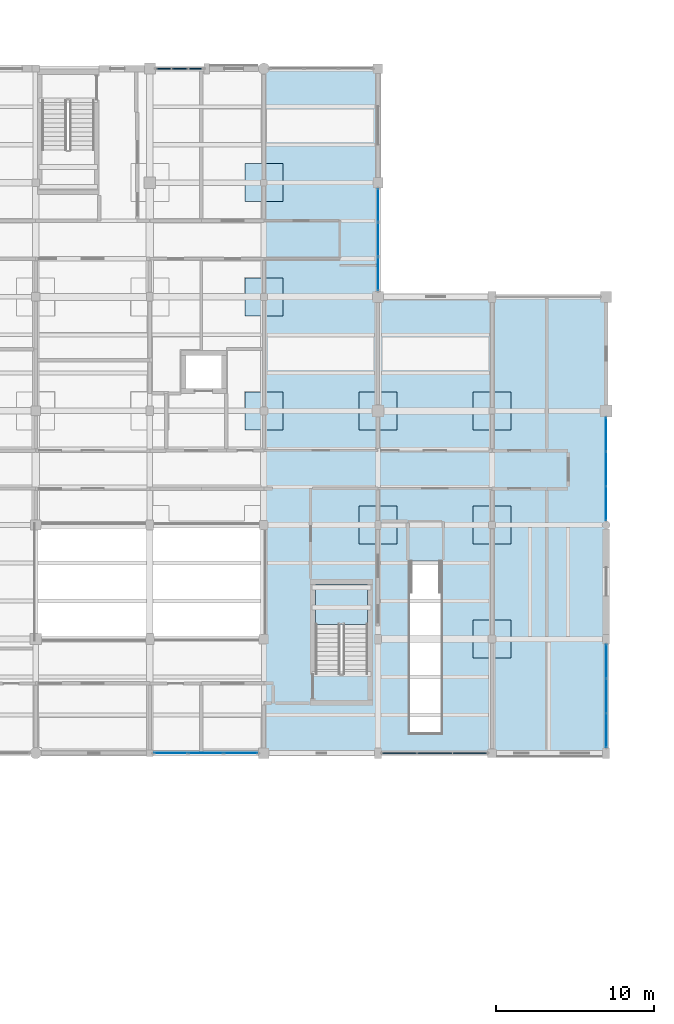
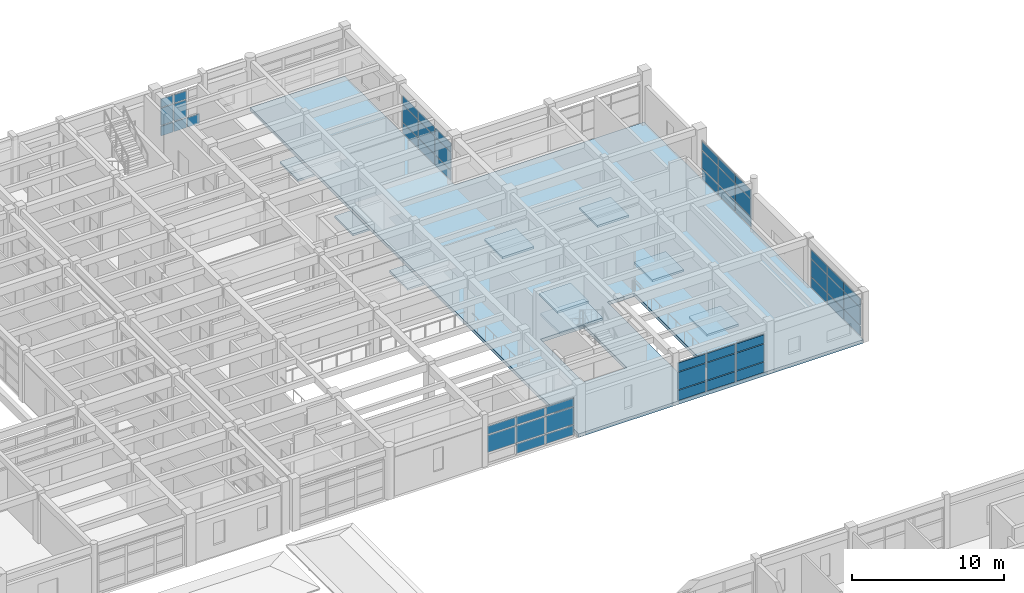
# One storey, part 70 of 110: 51 plates, 10 slabs, 7 elements without a shape of their own.
"""IFC4 building model written with IfcOpenShell, lengths in metres."""

from ifc_helpers import new_model, si_unit, direction, frame, origin, origin_2d, place, context, subcontext, project, spatial, polyline, rectangle, outline, extrude, material, layer, layer_set, type_object, element, aggregate, save


model = new_model("IFC4")

# Units and contexts
model_context = context("Model", 3, precision=1e-05, world=origin(), true_north=direction((0.0, 1.0)))
body_context = subcontext(model_context, "Body", "Model", "MODEL_VIEW")
ifc_project = project(units=[si_unit("LENGTHUNIT", "METRE"), si_unit("AREAUNIT", "SQUARE_METRE"), si_unit("VOLUMEUNIT", "CUBIC_METRE"), si_unit("PLANEANGLEUNIT", "RADIAN"), si_unit("MASSUNIT", "GRAM", prefix="KILO")], contexts=[model_context])

# Site, building, storey
site_placement = place(None, origin())
site = spatial("IfcSite", under=ifc_project, at=site_placement, CompositionType="ELEMENT")
building_placement = place(site_placement, origin())
building = spatial("IfcBuilding", under=site, at=building_placement, Name="Steenspoor Specialist Clinic", CompositionType="ELEMENT")
storey_placement = place(building_placement, frame((0.0, 0.0, 4.800048828125)))
storey = spatial("IfcBuildingStorey", under=building, at=storey_placement, Name="L01", CompositionType="ELEMENT", Elevation=4.800048828125)

# Curtain wall, plates
ifc_material_1 = material(Name="Thermally broken aluminium and low-emissivity glass", Category="aluminium")
curtain_wall_type_1 = type_object("IfcCurtainWallType", Name="CW-HALL-480X820", PredefinedType="USERDEFINED", material=ifc_material_1)
curtain_wall_1_placement = place(storey_placement, origin())
curtain_wall_1 = element("IfcCurtainWall", 1, at=curtain_wall_1_placement, inside=storey, type_object=curtain_wall_type_1, Name="Unitised Curtain Wall CW-V6-L01-171", ObjectType="UNITISED GLAZING", PredefinedType="USERDEFINED")
ifc_material_2 = material(Name="Double low-emissivity insulated glass", Category="glass")
ifc_layer_1 = layer(ifc_material_2, 0.035888671875)
ifc_layer_set_1 = layer_set([ifc_layer_1], Name="Double low-emissivity insulated glass")
plate_type_1 = type_object("IfcPlateType", Name="CW-PAN-GL36", PredefinedType="CURTAIN_PANEL", material=ifc_layer_set_1)
plate_1_placement = place(storey_placement, frame((161.199951171875, 85.262939453125, 0.070068359375), z_axis=(0.0, 0.0, 1.0), x_axis=(0.0, -1.0, 0.0)))
plate_1 = element("IfcPlate", 2, at=plate_1_placement, type_object=plate_type_1, Name="CW-03 panel 1.1", PredefinedType="CURTAIN_PANEL", context=body_context, shape_type="SweptSolid", body=[
    extrude(rectangle(XDim=2.09423828125, YDim=0.035888671875, at=origin_2d()), origin(), (0.0, 0.0, 1.0), 0.794921875),
])
plate_2_placement = place(storey_placement, frame((161.199951171875, 85.262939453125, 0.93505859375), z_axis=(0.0, 0.0, 1.0), x_axis=(0.0, -1.0, 0.0)))
plate_2 = element("IfcPlate", 3, at=plate_2_placement, type_object=plate_type_1, Name="CW-03 panel 1.2", PredefinedType="CURTAIN_PANEL", context=body_context, shape_type="SweptSolid", body=[
    extrude(rectangle(XDim=2.09423828125, YDim=0.035888671875, at=origin_2d()), origin(), (0.0, 0.0, 1.0), 1.3798828125),
])
plate_3_placement = place(storey_placement, frame((161.199951171875, 85.262939453125, 2.384765625), z_axis=(0.0, 0.0, 1.0), x_axis=(0.0, -1.0, 0.0)))
plate_3 = element("IfcPlate", 4, at=plate_3_placement, type_object=plate_type_1, Name="CW-03 panel 1.3", PredefinedType="CURTAIN_PANEL", context=body_context, shape_type="SweptSolid", body=[
    extrude(rectangle(XDim=2.09423828125, YDim=0.035888671875, at=origin_2d()), origin(), (0.0, 0.0, 1.0), 0.675048828125),
])
plate_4_placement = place(storey_placement, frame((161.199951171875, 83.08740234375, 0.070068359375), z_axis=(0.0, 0.0, 1.0), x_axis=(0.0, -1.0, 0.0)))
plate_4 = element("IfcPlate", 5, at=plate_4_placement, type_object=plate_type_1, Name="CW-03 panel 2.1", PredefinedType="CURTAIN_PANEL", context=body_context, shape_type="SweptSolid", body=[
    extrude(rectangle(XDim=2.126708984375, YDim=0.035888671875, at=origin_2d()), origin(), (0.0, 0.0, 1.0), 0.794921875),
])
plate_5_placement = place(storey_placement, frame((161.199951171875, 83.08740234375, 0.93505859375), z_axis=(0.0, 0.0, 1.0), x_axis=(0.0, -1.0, 0.0)))
plate_5 = element("IfcPlate", 6, at=plate_5_placement, type_object=plate_type_1, Name="CW-03 panel 2.2", PredefinedType="CURTAIN_PANEL", context=body_context, shape_type="SweptSolid", body=[
    extrude(rectangle(XDim=2.126708984375, YDim=0.035888671875, at=origin_2d()), origin(), (0.0, 0.0, 1.0), 1.3798828125),
])
plate_6_placement = place(storey_placement, frame((161.199951171875, 83.08740234375, 2.384765625), z_axis=(0.0, 0.0, 1.0), x_axis=(0.0, -1.0, 0.0)))
plate_6 = element("IfcPlate", 7, at=plate_6_placement, type_object=plate_type_1, Name="CW-03 panel 2.3", PredefinedType="CURTAIN_PANEL", context=body_context, shape_type="SweptSolid", body=[
    extrude(rectangle(XDim=2.126708984375, YDim=0.035888671875, at=origin_2d()), origin(), (0.0, 0.0, 1.0), 0.675048828125),
])
plate_7_placement = place(storey_placement, frame((161.199951171875, 80.912109375, 0.070068359375), z_axis=(0.0, 0.0, 1.0), x_axis=(0.0, -1.0, 0.0)))
plate_7 = element("IfcPlate", 8, at=plate_7_placement, type_object=plate_type_1, Name="CW-03 panel 3.1", PredefinedType="CURTAIN_PANEL", context=body_context, shape_type="SweptSolid", body=[
    extrude(rectangle(XDim=2.09423828125, YDim=0.035888671875, at=origin_2d()), origin(), (0.0, 0.0, 1.0), 0.794921875),
])
plate_8_placement = place(storey_placement, frame((161.199951171875, 80.912109375, 0.93505859375), z_axis=(0.0, 0.0, 1.0), x_axis=(0.0, -1.0, 0.0)))
plate_8 = element("IfcPlate", 9, at=plate_8_placement, type_object=plate_type_1, Name="CW-03 panel 3.2", PredefinedType="CURTAIN_PANEL", context=body_context, shape_type="SweptSolid", body=[
    extrude(rectangle(XDim=2.09423828125, YDim=0.035888671875, at=origin_2d()), origin(), (0.0, 0.0, 1.0), 1.3798828125),
])
plate_9_placement = place(storey_placement, frame((161.199951171875, 80.912109375, 2.384765625), z_axis=(0.0, 0.0, 1.0), x_axis=(0.0, -1.0, 0.0)))
plate_9 = element("IfcPlate", 10, at=plate_9_placement, type_object=plate_type_1, Name="CW-03 panel 3.3", PredefinedType="CURTAIN_PANEL", context=body_context, shape_type="SweptSolid", body=[
    extrude(rectangle(XDim=2.09423828125, YDim=0.035888671875, at=origin_2d()), origin(), (0.0, 0.0, 1.0), 0.675048828125),
])
aggregate(curtain_wall_1, [plate_1, plate_2, plate_3, plate_4, plate_5, plate_6, plate_7, plate_8, plate_9])

curtain_wall_type_2 = type_object("IfcCurtainWallType", Name="CW-L00-480X415", PredefinedType="USERDEFINED", material=ifc_material_1)
curtain_wall_2_placement = place(storey_placement, origin())
curtain_wall_2 = element("IfcCurtainWall", 11, at=curtain_wall_2_placement, inside=storey, type_object=curtain_wall_type_2, Name="Unitised Curtain Wall CW-V6-L01-174", ObjectType="UNITISED GLAZING", PredefinedType="USERDEFINED")
plate_10_placement = place(storey_placement, frame((138.142578125, 65.14990234375, 0.08984375), z_axis=(0.0, 0.0, 1.0), x_axis=(-1.0, 0.0, 0.0)))
plate_10 = element("IfcPlate", 12, at=plate_10_placement, type_object=plate_type_1, Name="CW-06 panel 1.1", PredefinedType="CURTAIN_PANEL", context=body_context, shape_type="SweptSolid", body=[
    extrude(rectangle(XDim=2.10498046875, YDim=0.035888671875, at=origin_2d()), origin(), (0.0, 0.0, 1.0), 0.764892578125),
])
plate_11_placement = place(storey_placement, frame((138.142578125, 65.14990234375, 0.94482421875), z_axis=(0.0, 0.0, 1.0), x_axis=(-1.0, 0.0, 0.0)))
plate_11 = element("IfcPlate", 13, at=plate_11_placement, type_object=plate_type_1, Name="CW-06 panel 1.2", PredefinedType="CURTAIN_PANEL", context=body_context, shape_type="SweptSolid", body=[
    extrude(rectangle(XDim=2.10498046875, YDim=0.035888671875, at=origin_2d()), origin(), (0.0, 0.0, 1.0), 1.360107421875),
])
plate_12_placement = place(storey_placement, frame((138.142578125, 65.14990234375, 2.39501953125), z_axis=(0.0, 0.0, 1.0), x_axis=(-1.0, 0.0, 0.0)))
plate_12 = element("IfcPlate", 14, at=plate_12_placement, type_object=plate_type_1, Name="CW-06 panel 1.3", PredefinedType="CURTAIN_PANEL", context=body_context, shape_type="SweptSolid", body=[
    extrude(rectangle(XDim=2.10498046875, YDim=0.035888671875, at=origin_2d()), origin(), (0.0, 0.0, 1.0), 0.64501953125),
])
plate_13_placement = place(storey_placement, frame((135.9375, 65.14990234375, 0.08984375), z_axis=(0.0, 0.0, 1.0), x_axis=(-1.0, 0.0, 0.0)))
plate_13 = element("IfcPlate", 15, at=plate_13_placement, type_object=plate_type_1, Name="CW-06 panel 2.1", PredefinedType="CURTAIN_PANEL", context=body_context, shape_type="SweptSolid", body=[
    extrude(rectangle(XDim=2.14501953125, YDim=0.035888671875, at=origin_2d()), origin(), (0.0, 0.0, 1.0), 0.764892578125),
])
plate_14_placement = place(storey_placement, frame((135.9375, 65.14990234375, 0.94482421875), z_axis=(0.0, 0.0, 1.0), x_axis=(-1.0, 0.0, 0.0)))
plate_14 = element("IfcPlate", 16, at=plate_14_placement, type_object=plate_type_1, Name="CW-06 panel 2.2", PredefinedType="CURTAIN_PANEL", context=body_context, shape_type="SweptSolid", body=[
    extrude(rectangle(XDim=2.14501953125, YDim=0.035888671875, at=origin_2d()), origin(), (0.0, 0.0, 1.0), 1.360107421875),
])
plate_15_placement = place(storey_placement, frame((135.9375, 65.14990234375, 2.39501953125), z_axis=(0.0, 0.0, 1.0), x_axis=(-1.0, 0.0, 0.0)))
plate_15 = element("IfcPlate", 17, at=plate_15_placement, type_object=plate_type_1, Name="CW-06 panel 2.3", PredefinedType="CURTAIN_PANEL", context=body_context, shape_type="SweptSolid", body=[
    extrude(rectangle(XDim=2.14501953125, YDim=0.035888671875, at=origin_2d()), origin(), (0.0, 0.0, 1.0), 0.64501953125),
])
plate_16_placement = place(storey_placement, frame((133.732421875, 65.14990234375, 0.94482421875), z_axis=(0.0, 0.0, 1.0), x_axis=(-1.0, 0.0, 0.0)))
plate_16 = element("IfcPlate", 18, at=plate_16_placement, type_object=plate_type_1, Name="CW-06 panel 3.2", PredefinedType="CURTAIN_PANEL", context=body_context, shape_type="SweptSolid", body=[
    extrude(rectangle(XDim=2.10498046875, YDim=0.035888671875, at=origin_2d()), origin(), (0.0, 0.0, 1.0), 1.360107421875),
])
plate_17_placement = place(storey_placement, frame((133.732421875, 65.14990234375, 2.39501953125), z_axis=(0.0, 0.0, 1.0), x_axis=(-1.0, 0.0, 0.0)))
plate_17 = element("IfcPlate", 19, at=plate_17_placement, type_object=plate_type_1, Name="CW-06 panel 3.3", PredefinedType="CURTAIN_PANEL", context=body_context, shape_type="SweptSolid", body=[
    extrude(rectangle(XDim=2.10498046875, YDim=0.035888671875, at=origin_2d()), origin(), (0.0, 0.0, 1.0), 0.64501953125),
])
aggregate(curtain_wall_2, [plate_10, plate_11, plate_12, plate_13, plate_14, plate_15, plate_16, plate_17])

curtain_wall_type_3 = type_object("IfcCurtainWallType", Name="CW-L00-660X415", PredefinedType="USERDEFINED", material=ifc_material_1)
curtain_wall_3_placement = place(storey_placement, origin())
curtain_wall_3 = element("IfcCurtainWall", 20, at=curtain_wall_3_placement, inside=storey, type_object=curtain_wall_type_3, Name="Unitised Curtain Wall CW-V6-L01-172", ObjectType="UNITISED GLAZING", PredefinedType="USERDEFINED")
ifc_material_3 = material(Name="Triple acoustic laminated low-emissivity glass", Category="glass")
ifc_layer_2 = layer(ifc_material_3, 0.048095703125)
ifc_layer_set_2 = layer_set([ifc_layer_2], Name="Triple acoustic laminated low-emissivity glass")
plate_type_2 = type_object("IfcPlateType", Name="CW-PAN-GL48", PredefinedType="CURTAIN_PANEL", material=ifc_layer_set_2)
plate_18_placement = place(storey_placement, frame((161.199951171875, 70.939208984375, 0.06494140625), z_axis=(0.0, 0.0, 1.0), x_axis=(0.0, -1.0, 0.0)))
plate_18 = element("IfcPlate", 21, at=plate_18_placement, type_object=plate_type_2, Name="CW-04 panel 1.1", PredefinedType="CURTAIN_PANEL", context=body_context, shape_type="SweptSolid", body=[
    extrude(rectangle(XDim=2.1015625, YDim=0.048095703125, at=origin_2d()), origin(), (0.0, 0.0, 1.0), 0.802490234375),
])
plate_19_placement = place(storey_placement, frame((161.199951171875, 70.939208984375, 0.9326171875), z_axis=(0.0, 0.0, 1.0), x_axis=(0.0, -1.0, 0.0)))
plate_19 = element("IfcPlate", 22, at=plate_19_placement, type_object=plate_type_2, Name="CW-04 panel 1.2", PredefinedType="CURTAIN_PANEL", context=body_context, shape_type="SweptSolid", body=[
    extrude(rectangle(XDim=2.1015625, YDim=0.048095703125, at=origin_2d()), origin(), (0.0, 0.0, 1.0), 1.385009765625),
])
plate_20_placement = place(storey_placement, frame((161.199951171875, 70.939208984375, 2.38232421875), z_axis=(0.0, 0.0, 1.0), x_axis=(0.0, -1.0, 0.0)))
plate_20 = element("IfcPlate", 23, at=plate_20_placement, type_object=plate_type_2, Name="CW-04 panel 1.3", PredefinedType="CURTAIN_PANEL", context=body_context, shape_type="SweptSolid", body=[
    extrude(rectangle(XDim=2.1015625, YDim=0.048095703125, at=origin_2d()), origin(), (0.0, 0.0, 1.0), 0.6826171875),
])
plate_21_placement = place(storey_placement, frame((161.199951171875, 68.762451171875, 0.06494140625), z_axis=(0.0, 0.0, 1.0), x_axis=(0.0, -1.0, 0.0)))
plate_21 = element("IfcPlate", 24, at=plate_21_placement, type_object=plate_type_2, Name="CW-04 panel 2.1", PredefinedType="CURTAIN_PANEL", context=body_context, shape_type="SweptSolid", body=[
    extrude(rectangle(XDim=2.131591796875, YDim=0.048095703125, at=origin_2d()), origin(), (0.0, 0.0, 1.0), 0.802490234375),
])
plate_22_placement = place(storey_placement, frame((161.199951171875, 68.762451171875, 0.9326171875), z_axis=(0.0, 0.0, 1.0), x_axis=(0.0, -1.0, 0.0)))
plate_22 = element("IfcPlate", 25, at=plate_22_placement, type_object=plate_type_2, Name="CW-04 panel 2.2", PredefinedType="CURTAIN_PANEL", context=body_context, shape_type="SweptSolid", body=[
    extrude(rectangle(XDim=2.131591796875, YDim=0.048095703125, at=origin_2d()), origin(), (0.0, 0.0, 1.0), 1.385009765625),
])
plate_23_placement = place(storey_placement, frame((161.199951171875, 68.762451171875, 2.38232421875), z_axis=(0.0, 0.0, 1.0), x_axis=(0.0, -1.0, 0.0)))
plate_23 = element("IfcPlate", 26, at=plate_23_placement, type_object=plate_type_2, Name="CW-04 panel 2.3", PredefinedType="CURTAIN_PANEL", context=body_context, shape_type="SweptSolid", body=[
    extrude(rectangle(XDim=2.131591796875, YDim=0.048095703125, at=origin_2d()), origin(), (0.0, 0.0, 1.0), 0.6826171875),
])
plate_24_placement = place(storey_placement, frame((161.199951171875, 66.5859375, 0.06494140625), z_axis=(0.0, 0.0, 1.0), x_axis=(0.0, -1.0, 0.0)))
plate_24 = element("IfcPlate", 27, at=plate_24_placement, type_object=plate_type_2, Name="CW-04 panel 3.1", PredefinedType="CURTAIN_PANEL", context=body_context, shape_type="SweptSolid", body=[
    extrude(rectangle(XDim=2.1015625, YDim=0.048095703125, at=origin_2d()), origin(), (0.0, 0.0, 1.0), 0.802490234375),
])
plate_25_placement = place(storey_placement, frame((161.199951171875, 66.5859375, 0.9326171875), z_axis=(0.0, 0.0, 1.0), x_axis=(0.0, -1.0, 0.0)))
plate_25 = element("IfcPlate", 28, at=plate_25_placement, type_object=plate_type_2, Name="CW-04 panel 3.2", PredefinedType="CURTAIN_PANEL", context=body_context, shape_type="SweptSolid", body=[
    extrude(rectangle(XDim=2.1015625, YDim=0.048095703125, at=origin_2d()), origin(), (0.0, 0.0, 1.0), 1.385009765625),
])
plate_26_placement = place(storey_placement, frame((161.199951171875, 66.5859375, 2.38232421875), z_axis=(0.0, 0.0, 1.0), x_axis=(0.0, -1.0, 0.0)))
plate_26 = element("IfcPlate", 29, at=plate_26_placement, type_object=plate_type_2, Name="CW-04 panel 3.3", PredefinedType="CURTAIN_PANEL", context=body_context, shape_type="SweptSolid", body=[
    extrude(rectangle(XDim=2.1015625, YDim=0.048095703125, at=origin_2d()), origin(), (0.0, 0.0, 1.0), 0.6826171875),
])
aggregate(curtain_wall_3, [plate_18, plate_19, plate_20, plate_21, plate_22, plate_23, plate_24, plate_25, plate_26])

curtain_wall_type_4 = type_object("IfcCurtainWallType", Name="CW-TYP-420X355", PredefinedType="USERDEFINED", material=ifc_material_1)
curtain_wall_4_placement = place(storey_placement, origin())
curtain_wall_4 = element("IfcCurtainWall", 30, at=curtain_wall_4_placement, inside=storey, type_object=curtain_wall_type_4, Name="Unitised Curtain Wall CW-V6-L01-181", ObjectType="UNITISED GLAZING", PredefinedType="USERDEFINED")
plate_27_placement = place(storey_placement, frame((146.800048828125, 99.717529296875, 0.070068359375), z_axis=(0.0, 0.0, 1.0), x_axis=(0.0, -1.0, 0.0)))
plate_27 = element("IfcPlate", 31, at=plate_27_placement, type_object=plate_type_2, Name="CW-13 panel 1.1", PredefinedType="CURTAIN_PANEL", context=body_context, shape_type="SweptSolid", body=[
    extrude(rectangle(XDim=2.054931640625, YDim=0.048095703125, at=origin_2d()), origin(), (0.0, 0.0, 1.0), 0.794921875),
])
plate_28_placement = place(storey_placement, frame((146.800048828125, 99.717529296875, 0.93505859375), z_axis=(0.0, 0.0, 1.0), x_axis=(0.0, -1.0, 0.0)))
plate_28 = element("IfcPlate", 32, at=plate_28_placement, type_object=plate_type_2, Name="CW-13 panel 1.2", PredefinedType="CURTAIN_PANEL", context=body_context, shape_type="SweptSolid", body=[
    extrude(rectangle(XDim=2.054931640625, YDim=0.048095703125, at=origin_2d()), origin(), (0.0, 0.0, 1.0), 1.3798828125),
])
plate_29_placement = place(storey_placement, frame((146.800048828125, 99.717529296875, 2.384765625), z_axis=(0.0, 0.0, 1.0), x_axis=(0.0, -1.0, 0.0)))
plate_29 = element("IfcPlate", 33, at=plate_29_placement, type_object=plate_type_2, Name="CW-13 panel 1.3", PredefinedType="CURTAIN_PANEL", context=body_context, shape_type="SweptSolid", body=[
    extrude(rectangle(XDim=2.054931640625, YDim=0.048095703125, at=origin_2d()), origin(), (0.0, 0.0, 1.0), 0.675048828125),
])
plate_30_placement = place(storey_placement, frame((146.800048828125, 97.5625, 0.070068359375), z_axis=(0.0, 0.0, 1.0), x_axis=(0.0, -1.0, 0.0)))
plate_30 = element("IfcPlate", 34, at=plate_30_placement, type_object=plate_type_2, Name="CW-13 panel 2.1", PredefinedType="CURTAIN_PANEL", context=body_context, shape_type="SweptSolid", body=[
    extrude(rectangle(XDim=2.094970703125, YDim=0.048095703125, at=origin_2d()), origin(), (0.0, 0.0, 1.0), 0.794921875),
])
plate_31_placement = place(storey_placement, frame((146.800048828125, 97.5625, 0.93505859375), z_axis=(0.0, 0.0, 1.0), x_axis=(0.0, -1.0, 0.0)))
plate_31 = element("IfcPlate", 35, at=plate_31_placement, type_object=plate_type_2, Name="CW-13 panel 2.2", PredefinedType="CURTAIN_PANEL", context=body_context, shape_type="SweptSolid", body=[
    extrude(rectangle(XDim=2.094970703125, YDim=0.048095703125, at=origin_2d()), origin(), (0.0, 0.0, 1.0), 1.3798828125),
])
plate_32_placement = place(storey_placement, frame((146.800048828125, 97.5625, 2.384765625), z_axis=(0.0, 0.0, 1.0), x_axis=(0.0, -1.0, 0.0)))
plate_32 = element("IfcPlate", 36, at=plate_32_placement, type_object=plate_type_2, Name="CW-13 panel 2.3", PredefinedType="CURTAIN_PANEL", context=body_context, shape_type="SweptSolid", body=[
    extrude(rectangle(XDim=2.094970703125, YDim=0.048095703125, at=origin_2d()), origin(), (0.0, 0.0, 1.0), 0.675048828125),
])
plate_33_placement = place(storey_placement, frame((146.800048828125, 95.407470703125, 0.070068359375), z_axis=(0.0, 0.0, 1.0), x_axis=(0.0, -1.0, 0.0)))
plate_33 = element("IfcPlate", 37, at=plate_33_placement, type_object=plate_type_2, Name="CW-13 panel 3.1", PredefinedType="CURTAIN_PANEL", context=body_context, shape_type="SweptSolid", body=[
    extrude(rectangle(XDim=2.054931640625, YDim=0.048095703125, at=origin_2d()), origin(), (0.0, 0.0, 1.0), 0.794921875),
])
plate_34_placement = place(storey_placement, frame((146.800048828125, 95.407470703125, 0.93505859375), z_axis=(0.0, 0.0, 1.0), x_axis=(0.0, -1.0, 0.0)))
plate_34 = element("IfcPlate", 38, at=plate_34_placement, type_object=plate_type_2, Name="CW-13 panel 3.2", PredefinedType="CURTAIN_PANEL", context=body_context, shape_type="SweptSolid", body=[
    extrude(rectangle(XDim=2.054931640625, YDim=0.048095703125, at=origin_2d()), origin(), (0.0, 0.0, 1.0), 1.3798828125),
])
plate_35_placement = place(storey_placement, frame((146.800048828125, 95.407470703125, 2.384765625), z_axis=(0.0, 0.0, 1.0), x_axis=(0.0, -1.0, 0.0)))
plate_35 = element("IfcPlate", 39, at=plate_35_placement, type_object=plate_type_2, Name="CW-13 panel 3.3", PredefinedType="CURTAIN_PANEL", context=body_context, shape_type="SweptSolid", body=[
    extrude(rectangle(XDim=2.054931640625, YDim=0.048095703125, at=origin_2d()), origin(), (0.0, 0.0, 1.0), 0.675048828125),
])
aggregate(curtain_wall_4, [plate_27, plate_28, plate_29, plate_30, plate_31, plate_32, plate_33, plate_34, plate_35])

curtain_wall_type_5 = type_object("IfcCurtainWallType", Name="CW-L00-650X415", PredefinedType="USERDEFINED", material=ifc_material_1)
curtain_wall_5_placement = place(storey_placement, origin())
curtain_wall_5 = element("IfcCurtainWall", 40, at=curtain_wall_5_placement, inside=storey, type_object=curtain_wall_type_5, Name="Unitised Curtain Wall CW-V6-L01-173", ObjectType="UNITISED GLAZING", PredefinedType="USERDEFINED")
ifc_material_4 = material(Name="Insulated glazed ceramic spandrel panel", Category="glass")
ifc_layer_3 = layer(ifc_material_4, 0.074951171875)
ifc_layer_set_3 = layer_set([ifc_layer_3], Name="Insulated glazed ceramic spandrel panel")
plate_type_3 = type_object("IfcPlateType", Name="CW-PAN-SP75", PredefinedType="CURTAIN_PANEL", material=ifc_layer_set_3)
plate_36_placement = place(storey_placement, frame((152.5859375, 65.14990234375, 0.059814453125), z_axis=(0.0, 0.0, 1.0), x_axis=(-1.0, 0.0, 0.0)))
plate_36 = element("IfcPlate", 41, at=plate_36_placement, type_object=plate_type_3, Name="CW-05 panel 1.1", PredefinedType="CURTAIN_PANEL", context=body_context, shape_type="SweptSolid", body=[
    extrude(rectangle(XDim=2.098388671875, YDim=0.074951171875, at=origin_2d()), origin(), (0.0, 0.0, 1.0), 0.81005859375),
])
plate_37_placement = place(storey_placement, frame((152.5859375, 65.14990234375, 0.93017578125), z_axis=(0.0, 0.0, 1.0), x_axis=(-1.0, 0.0, 0.0)))
plate_37 = element("IfcPlate", 42, at=plate_37_placement, type_object=plate_type_3, Name="CW-05 panel 1.2", PredefinedType="CURTAIN_PANEL", context=body_context, shape_type="SweptSolid", body=[
    extrude(rectangle(XDim=2.098388671875, YDim=0.074951171875, at=origin_2d()), origin(), (0.0, 0.0, 1.0), 1.389892578125),
])
plate_38_placement = place(storey_placement, frame((152.5859375, 65.14990234375, 2.3798828125), z_axis=(0.0, 0.0, 1.0), x_axis=(-1.0, 0.0, 0.0)))
plate_38 = element("IfcPlate", 43, at=plate_38_placement, type_object=plate_type_3, Name="CW-05 panel 1.3", PredefinedType="CURTAIN_PANEL", context=body_context, shape_type="SweptSolid", body=[
    extrude(rectangle(XDim=2.098388671875, YDim=0.074951171875, at=origin_2d()), origin(), (0.0, 0.0, 1.0), 0.68994140625),
])
plate_39_placement = place(storey_placement, frame((150.375, 65.14990234375, 0.059814453125), z_axis=(0.0, 0.0, 1.0), x_axis=(-1.0, 0.0, 0.0)))
plate_39 = element("IfcPlate", 44, at=plate_39_placement, type_object=plate_type_3, Name="CW-05 panel 2.1", PredefinedType="CURTAIN_PANEL", context=body_context, shape_type="SweptSolid", body=[
    extrude(rectangle(XDim=2.143310546875, YDim=0.074951171875, at=origin_2d()), origin(), (0.0, 0.0, 1.0), 0.81005859375),
])
plate_40_placement = place(storey_placement, frame((150.375, 65.14990234375, 0.93017578125), z_axis=(0.0, 0.0, 1.0), x_axis=(-1.0, 0.0, 0.0)))
plate_40 = element("IfcPlate", 45, at=plate_40_placement, type_object=plate_type_3, Name="CW-05 panel 2.2", PredefinedType="CURTAIN_PANEL", context=body_context, shape_type="SweptSolid", body=[
    extrude(rectangle(XDim=2.143310546875, YDim=0.074951171875, at=origin_2d()), origin(), (0.0, 0.0, 1.0), 1.389892578125),
])
plate_41_placement = place(storey_placement, frame((150.375, 65.14990234375, 2.3798828125), z_axis=(0.0, 0.0, 1.0), x_axis=(-1.0, 0.0, 0.0)))
plate_41 = element("IfcPlate", 46, at=plate_41_placement, type_object=plate_type_3, Name="CW-05 panel 2.3", PredefinedType="CURTAIN_PANEL", context=body_context, shape_type="SweptSolid", body=[
    extrude(rectangle(XDim=2.143310546875, YDim=0.074951171875, at=origin_2d()), origin(), (0.0, 0.0, 1.0), 0.68994140625),
])
plate_42_placement = place(storey_placement, frame((148.1640625, 65.14990234375, 0.059814453125), z_axis=(0.0, 0.0, 1.0), x_axis=(-1.0, 0.0, 0.0)))
plate_42 = element("IfcPlate", 47, at=plate_42_placement, type_object=plate_type_3, Name="CW-05 panel 3.1", PredefinedType="CURTAIN_PANEL", context=body_context, shape_type="SweptSolid", body=[
    extrude(rectangle(XDim=2.098388671875, YDim=0.074951171875, at=origin_2d()), origin(), (0.0, 0.0, 1.0), 0.81005859375),
])
plate_43_placement = place(storey_placement, frame((148.1640625, 65.14990234375, 0.93017578125), z_axis=(0.0, 0.0, 1.0), x_axis=(-1.0, 0.0, 0.0)))
plate_43 = element("IfcPlate", 48, at=plate_43_placement, type_object=plate_type_3, Name="CW-05 panel 3.2", PredefinedType="CURTAIN_PANEL", context=body_context, shape_type="SweptSolid", body=[
    extrude(rectangle(XDim=2.098388671875, YDim=0.074951171875, at=origin_2d()), origin(), (0.0, 0.0, 1.0), 1.389892578125),
])
plate_44_placement = place(storey_placement, frame((148.1640625, 65.14990234375, 2.3798828125), z_axis=(0.0, 0.0, 1.0), x_axis=(-1.0, 0.0, 0.0)))
plate_44 = element("IfcPlate", 49, at=plate_44_placement, type_object=plate_type_3, Name="CW-05 panel 3.3", PredefinedType="CURTAIN_PANEL", context=body_context, shape_type="SweptSolid", body=[
    extrude(rectangle(XDim=2.098388671875, YDim=0.074951171875, at=origin_2d()), origin(), (0.0, 0.0, 1.0), 0.68994140625),
])
aggregate(curtain_wall_5, [plate_36, plate_37, plate_38, plate_39, plate_40, plate_41, plate_42, plate_43, plate_44])

curtain_wall_type_6 = type_object("IfcCurtainWallType", Name="CW-TYP-540X355", PredefinedType="USERDEFINED", material=ifc_material_1)
curtain_wall_6_placement = place(storey_placement, origin())
curtain_wall_6 = element("IfcCurtainWall", 50, at=curtain_wall_6_placement, inside=storey, type_object=curtain_wall_type_6, Name="Unitised Curtain Wall CW-V6-L01-179", ObjectType="UNITISED GLAZING", PredefinedType="USERDEFINED")
plate_45_placement = place(storey_placement, frame((133.285888671875, 108.35009765625, 0.08984375), z_axis=(0.0, 0.0, 1.0), x_axis=(1.0, 0.0, 0.0)))
plate_45 = element("IfcPlate", 51, at=plate_45_placement, type_object=plate_type_3, Name="CW-11 panel 1.1", PredefinedType="CURTAIN_PANEL", context=body_context, shape_type="SweptSolid", body=[
    extrude(rectangle(XDim=0.8916015625, YDim=0.074951171875, at=origin_2d()), origin(), (0.0, 0.0, 1.0), 0.764892578125),
])
plate_46_placement = place(storey_placement, frame((133.285888671875, 108.35009765625, 0.94482421875), z_axis=(0.0, 0.0, 1.0), x_axis=(1.0, 0.0, 0.0)))
plate_46 = element("IfcPlate", 52, at=plate_46_placement, type_object=plate_type_3, Name="CW-11 panel 1.2", PredefinedType="CURTAIN_PANEL", context=body_context, shape_type="SweptSolid", body=[
    extrude(rectangle(XDim=0.8916015625, YDim=0.074951171875, at=origin_2d()), origin(), (0.0, 0.0, 1.0), 1.360107421875),
])
plate_47_placement = place(storey_placement, frame((133.285888671875, 108.35009765625, 2.39501953125), z_axis=(0.0, 0.0, 1.0), x_axis=(1.0, 0.0, 0.0)))
plate_47 = element("IfcPlate", 53, at=plate_47_placement, type_object=plate_type_3, Name="CW-11 panel 1.3", PredefinedType="CURTAIN_PANEL", context=body_context, shape_type="SweptSolid", body=[
    extrude(rectangle(XDim=0.8916015625, YDim=0.074951171875, at=origin_2d()), origin(), (0.0, 0.0, 1.0), 0.64501953125),
])
plate_48_placement = place(storey_placement, frame((134.2900390625, 108.35009765625, 0.08984375), z_axis=(0.0, 0.0, 1.0), x_axis=(1.0, 0.0, 0.0)))
plate_48 = element("IfcPlate", 54, at=plate_48_placement, type_object=plate_type_3, Name="CW-11 panel 2.1", PredefinedType="CURTAIN_PANEL", context=body_context, shape_type="SweptSolid", body=[
    extrude(rectangle(XDim=0.936767578125, YDim=0.074951171875, at=origin_2d()), origin(), (0.0, 0.0, 1.0), 0.764892578125),
])
plate_49_placement = place(storey_placement, frame((134.2900390625, 108.35009765625, 0.94482421875), z_axis=(0.0, 0.0, 1.0), x_axis=(1.0, 0.0, 0.0)))
plate_49 = element("IfcPlate", 55, at=plate_49_placement, type_object=plate_type_3, Name="CW-11 panel 2.2", PredefinedType="CURTAIN_PANEL", context=body_context, shape_type="SweptSolid", body=[
    extrude(rectangle(XDim=0.936767578125, YDim=0.074951171875, at=origin_2d()), origin(), (0.0, 0.0, 1.0), 1.360107421875),
])
plate_50_placement = place(storey_placement, frame((134.2900390625, 108.35009765625, 2.39501953125), z_axis=(0.0, 0.0, 1.0), x_axis=(1.0, 0.0, 0.0)))
plate_50 = element("IfcPlate", 56, at=plate_50_placement, type_object=plate_type_3, Name="CW-11 panel 2.3", PredefinedType="CURTAIN_PANEL", context=body_context, shape_type="SweptSolid", body=[
    extrude(rectangle(XDim=0.936767578125, YDim=0.074951171875, at=origin_2d()), origin(), (0.0, 0.0, 1.0), 0.64501953125),
])
plate_51_placement = place(storey_placement, frame((135.294189453125, 108.35009765625, 0.08984375), z_axis=(0.0, 0.0, 1.0), x_axis=(1.0, 0.0, 0.0)))
plate_51 = element("IfcPlate", 57, at=plate_51_placement, type_object=plate_type_3, Name="CW-11 panel 3.1", PredefinedType="CURTAIN_PANEL", context=body_context, shape_type="SweptSolid", body=[
    extrude(rectangle(XDim=0.8916015625, YDim=0.074951171875, at=origin_2d()), origin(), (0.0, 0.0, 1.0), 0.764892578125),
])
aggregate(curtain_wall_6, [plate_45, plate_46, plate_47, plate_48, plate_49, plate_50, plate_51])

# Slabs
ifc_material_5 = material(Name="Concrete C35/45", Category="concrete")
ifc_layer_4 = layer(ifc_material_5, 0.169921875)
ifc_layer_set_4 = layer_set([ifc_layer_4], Name="Concrete C35/45")
slab_type_1 = type_object("IfcSlabType", Name="SL-DROP-170", PredefinedType="USERDEFINED", material=ifc_layer_set_4)
slab_1_placement = place(storey_placement, frame((0.0, 0.0, -0.449951171875)))
element("IfcSlab", 58, at=slab_1_placement, inside=storey, type_object=slab_type_1, Name="Column Drop Panel DROP-V6-L01-136", ObjectType="DROP PANEL", PredefinedType="USERDEFINED", context=body_context, shape_type="SweptSolid", body=[
    extrude(outline(polyline([(140.800048828125, 85.550048828125), (140.800048828125, 87.949951171875), (138.39990234375, 87.949951171875), (138.39990234375, 85.550048828125), (140.800048828125, 85.550048828125)])), origin(), (0.0, 0.0, 1.0), 0.169921875),
])
slab_2_placement = place(storey_placement, frame((0.0, 0.0, -0.449951171875)))
element("IfcSlab", 59, at=slab_2_placement, inside=storey, type_object=slab_type_1, Name="Column Drop Panel DROP-V6-L01-137", ObjectType="DROP PANEL", PredefinedType="USERDEFINED", context=body_context, shape_type="SweptSolid", body=[
    extrude(outline(polyline([(140.800048828125, 92.75), (140.800048828125, 95.14990234375), (138.39990234375, 95.14990234375), (138.39990234375, 92.75), (140.800048828125, 92.75)])), origin(), (0.0, 0.0, 1.0), 0.169921875),
])
slab_3_placement = place(storey_placement, frame((0.0, 0.0, -0.449951171875)))
element("IfcSlab", 60, at=slab_3_placement, inside=storey, type_object=slab_type_1, Name="Column Drop Panel DROP-V6-L01-138", ObjectType="DROP PANEL", PredefinedType="USERDEFINED", context=body_context, shape_type="SweptSolid", body=[
    extrude(outline(polyline([(140.800048828125, 99.949951171875), (140.800048828125, 102.35009765625), (138.39990234375, 102.35009765625), (138.39990234375, 99.949951171875), (140.800048828125, 99.949951171875)])), origin(), (0.0, 0.0, 1.0), 0.169921875),
])
slab_4_placement = place(storey_placement, frame((0.0, 0.0, -0.449951171875)))
element("IfcSlab", 61, at=slab_4_placement, inside=storey, type_object=slab_type_1, Name="Column Drop Panel DROP-V6-L01-139", ObjectType="DROP PANEL", PredefinedType="USERDEFINED", context=body_context, shape_type="SweptSolid", body=[
    extrude(outline(polyline([(148.0, 78.35009765625), (148.0, 80.75), (145.60009765625, 80.75), (145.60009765625, 78.35009765625), (148.0, 78.35009765625)])), origin(), (0.0, 0.0, 1.0), 0.169921875),
])
slab_5_placement = place(storey_placement, frame((0.0, 0.0, -0.449951171875)))
element("IfcSlab", 62, at=slab_5_placement, inside=storey, type_object=slab_type_1, Name="Column Drop Panel DROP-V6-L01-140", ObjectType="DROP PANEL", PredefinedType="USERDEFINED", context=body_context, shape_type="SweptSolid", body=[
    extrude(outline(polyline([(148.0, 85.550048828125), (148.0, 87.949951171875), (145.60009765625, 87.949951171875), (145.60009765625, 85.550048828125), (148.0, 85.550048828125)])), origin(), (0.0, 0.0, 1.0), 0.169921875),
])
slab_6_placement = place(storey_placement, frame((0.0, 0.0, -0.449951171875)))
element("IfcSlab", 63, at=slab_6_placement, inside=storey, type_object=slab_type_1, Name="Column Drop Panel DROP-V6-L01-141", ObjectType="DROP PANEL", PredefinedType="USERDEFINED", context=body_context, shape_type="SweptSolid", body=[
    extrude(outline(polyline([(155.199951171875, 71.14990234375), (155.199951171875, 73.550048828125), (152.800048828125, 73.550048828125), (152.800048828125, 71.14990234375), (155.199951171875, 71.14990234375)])), origin(), (0.0, 0.0, 1.0), 0.169921875),
])
slab_7_placement = place(storey_placement, frame((0.0, 0.0, -0.449951171875)))
element("IfcSlab", 64, at=slab_7_placement, inside=storey, type_object=slab_type_1, Name="Column Drop Panel DROP-V6-L01-142", ObjectType="DROP PANEL", PredefinedType="USERDEFINED", context=body_context, shape_type="SweptSolid", body=[
    extrude(outline(polyline([(155.199951171875, 78.35009765625), (155.199951171875, 80.75), (152.800048828125, 80.75), (152.800048828125, 78.35009765625), (155.199951171875, 78.35009765625)])), origin(), (0.0, 0.0, 1.0), 0.169921875),
])
slab_8_placement = place(storey_placement, frame((0.0, 0.0, -0.449951171875)))
element("IfcSlab", 65, at=slab_8_placement, inside=storey, type_object=slab_type_1, Name="Column Drop Panel DROP-V6-L01-143", ObjectType="DROP PANEL", PredefinedType="USERDEFINED", context=body_context, shape_type="SweptSolid", body=[
    extrude(outline(polyline([(155.199951171875, 85.550048828125), (155.199951171875, 87.949951171875), (152.800048828125, 87.949951171875), (152.800048828125, 85.550048828125), (155.199951171875, 85.550048828125)])), origin(), (0.0, 0.0, 1.0), 0.169921875),
])
ifc_layer_5 = layer(ifc_material_5, 0.280029296875)
ifc_layer_set_5 = layer_set([ifc_layer_5], Name="Concrete C35/45")
slab_type_2 = type_object("IfcSlabType", Name="SL-HEAVY-280", PredefinedType="FLOOR", material=ifc_layer_set_5)
slab_9_placement = place(storey_placement, frame((0.0, 0.0, -0.280029296875)))
element("IfcSlab", 66, at=slab_9_placement, inside=storey, type_object=slab_type_2, Name="Structural Slab SLAB-V6-L01-047", PredefinedType="FLOOR", context=body_context, shape_type="SweptSolid", body=[
    extrude(outline(polyline([(139.60009765625, 65.14990234375), (139.60009765625, 72.35009765625), (139.60009765625, 79.550048828125), (139.60009765625, 108.35009765625), (146.800048828125, 108.35009765625), (146.800048828125, 93.949951171875), (161.199951171875, 93.949951171875), (161.199951171875, 65.14990234375), (139.60009765625, 65.14990234375)]), holes=[polyline([(150.824951171875, 77.300048828125), (148.77490234375, 77.300048828125), (148.77490234375, 66.39990234375), (150.824951171875, 66.39990234375), (150.824951171875, 77.300048828125)]), polyline([(146.14990234375, 75.800048828125), (142.85009765625, 75.800048828125), (142.85009765625, 70.14990234375), (146.14990234375, 70.14990234375), (146.14990234375, 75.800048828125)])]), origin(), (0.0, 0.0, 1.0), 0.280029296875),
])

# Stair, slab
stair_type = type_object("IfcStairType", Name="ST-CORE-TYP", PredefinedType="HALF_TURN_STAIR", material=ifc_material_5)
stair_placement = place(storey_placement, origin())
stair = element("IfcStair", 67, at=stair_placement, inside=storey, type_object=stair_type, Name="L01 Enclosed Exit Stair ST-V6B", PredefinedType="HALF_TURN_STAIR")
ifc_layer_6 = layer(ifc_material_5, 0.199951171875)
ifc_layer_set_6 = layer_set([ifc_layer_6], Name="Concrete C35/45")
slab_type_3 = type_object("IfcSlabType", Name="SL-LAND-200", PredefinedType="LANDING", material=ifc_layer_set_6)
slab_10_placement = place(storey_placement, frame((0.0, 0.0, 1.89990234375)))
slab_10 = element("IfcSlab", 68, at=slab_10_placement, type_object=slab_type_3, Name="ST-V6B landing 1", PredefinedType="LANDING", context=body_context, shape_type="SweptSolid", body=[
    extrude(outline(polyline([(146.14990234375, 73.284912109375), (146.14990234375, 75.800048828125), (142.85009765625, 75.800048828125), (142.85009765625, 73.284912109375), (146.14990234375, 73.284912109375)])), origin(), (0.0, 0.0, 1.0), 0.199951171875),
])
aggregate(stair, [slab_10])

save(model, "model.ifc")
